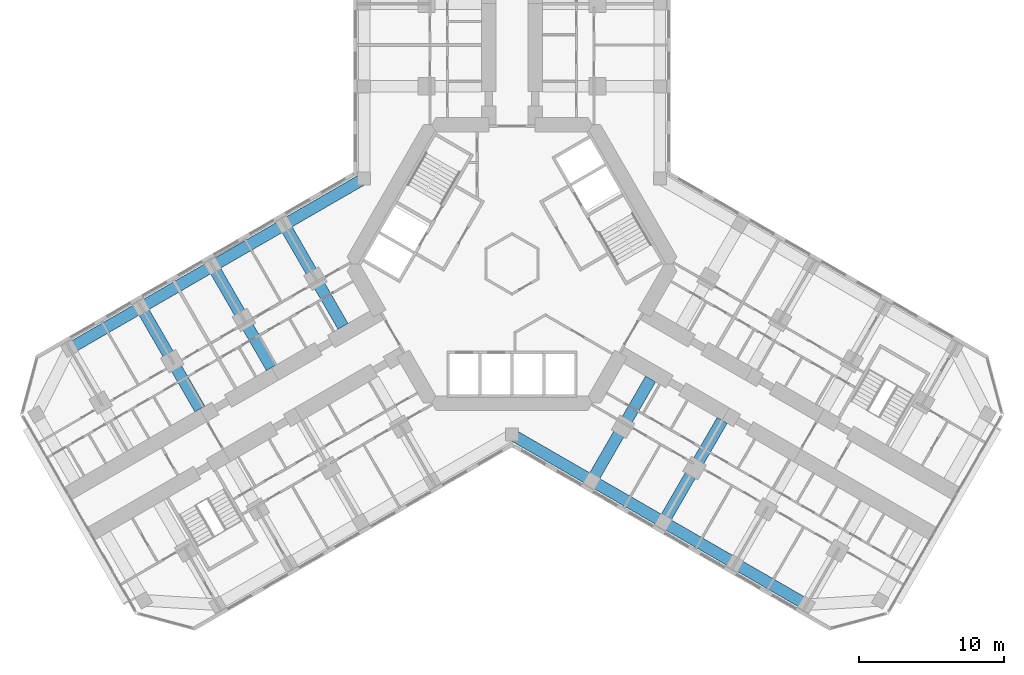
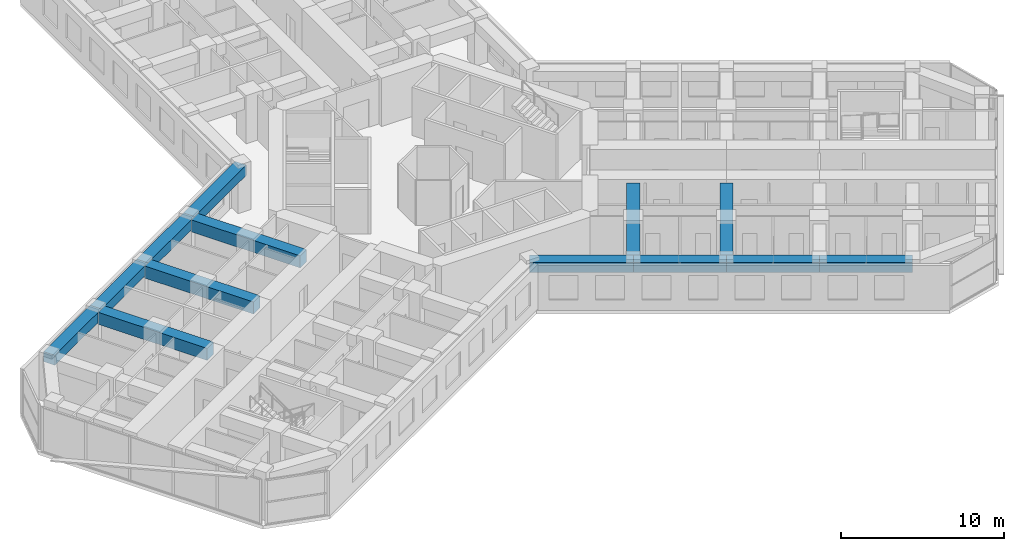
# One storey, part 4 of 22: 13 beams.
"""IFC4 building model written with IfcOpenShell, lengths in metres."""

from ifc_helpers import new_model, si_unit, direction, frame, origin, origin_2d, place, context, subcontext, project, spatial, rectangle, extrude, material, material_profile, profile_set, type_object, element, save


model = new_model("IFC4")

# Units and contexts
model_context = context("Model", 3, precision=1e-05, world=origin(), true_north=direction((0.0, 1.0)))
body_context = subcontext(model_context, "Body", "Model", "MODEL_VIEW")
ifc_project = project(units=[si_unit("LENGTHUNIT", "METRE"), si_unit("AREAUNIT", "SQUARE_METRE"), si_unit("VOLUMEUNIT", "CUBIC_METRE"), si_unit("PLANEANGLEUNIT", "RADIAN"), si_unit("MASSUNIT", "GRAM", prefix="KILO")], contexts=[model_context])

# Site, building, storey
site_placement = place(None, origin())
site = spatial("IfcSite", under=ifc_project, at=site_placement, CompositionType="ELEMENT")
building_placement = place(site_placement, origin())
building = spatial("IfcBuilding", under=site, at=building_placement, Name="Kosmar Iwan School Tower", CompositionType="ELEMENT")
storey_placement = place(building_placement, frame((0.0, 0.0, 91.60009765625)))
storey = spatial("IfcBuildingStorey", under=building, at=storey_placement, Name="L22", CompositionType="ELEMENT", Elevation=91.60009765625)

# Beams
ifc_material_1 = material(Name="Concrete C50/60", Category="concrete")
ifc_material_profile_1 = material_profile(ifc_material_1, rectangle(XDim=0.800048828125, YDim=0.75, at=origin_2d()), Name="RC 800x750")
ifc_profile_set_1 = profile_set([ifc_material_profile_1], Name="Concrete C50/60")
beam_type_1 = type_object("IfcBeamType", Name="RC edge beam 800x750", PredefinedType="BEAM", material=ifc_profile_set_1)
beam_1_placement = place(storey_placement, frame((-10.199951171875, 5.888916015625, 2.974853515625), z_axis=(-0.866030912664, -0.49999045822, 0.0), x_axis=(0.49999045822, -0.866030912664, 0.0)))
element("IfcBeam", 1, at=beam_1_placement, inside=storey, type_object=beam_type_1, Name="Edge beam BR1", PredefinedType="BEAM", context=body_context, shape_type="SweptSolid", body=[
    extrude(rectangle(XDim=0.800048828125, YDim=0.75, at=origin_2d()), origin(), (0.0, 0.0, 1.0), 6.36083984375),
])
beam_2_placement = place(storey_placement, frame((-15.708740234375, 2.70849609375, 2.974853515625), z_axis=(-0.866025820012, -0.499999279071, 0.0), x_axis=(0.499999279071, -0.866025820012, 0.0)))
element("IfcBeam", 2, at=beam_2_placement, inside=storey, type_object=beam_type_1, Name="Edge beam BR2", PredefinedType="BEAM", context=body_context, shape_type="SweptSolid", body=[
    extrude(rectangle(XDim=0.800048828125, YDim=0.75, at=origin_2d()), origin(), (0.0, 0.0, 1.0), 5.7001953125),
])
for number, where, z_axis, x_axis, name in (
    (3, (-20.645263671875, -0.1416015625, 2.974853515625), (-0.866033658841, -0.49998570155, 0.0), (0.49998570155, -0.866033658841, 0.0), "Edge beam BR3"),
    (4, (-25.58154296875, -2.991455078125, 2.974853515625), (-0.866015111908, -0.50001782563, 0.0), (0.50001782563, -0.866015111908, 0.0), "Edge beam BR4"),
):
    element("IfcBeam", number, at=place(storey_placement, frame(where, z_axis=z_axis, x_axis=x_axis)), inside=storey, type_object=beam_type_1, Name=name, PredefinedType="BEAM", context=body_context, shape_type="SweptSolid", body=[
        extrude(rectangle(XDim=0.800048828125, YDim=0.75, at=origin_2d()), origin(), (0.0, 0.0, 1.0), 5.699951171875),
    ])
beam_3_placement = place(storey_placement, frame((0.0, -11.77783203125, 2.974853515625), z_axis=(0.866014293216, -0.500019243575, 0.0), x_axis=(0.500019243575, 0.866014293216, 0.0)))
element("IfcBeam", 5, at=beam_3_placement, inside=storey, type_object=beam_type_1, Name="Edge beam CR1", PredefinedType="BEAM", context=body_context, shape_type="SweptSolid", body=[
    extrude(rectangle(XDim=0.800048828125, YDim=0.75, at=origin_2d()), origin(), (0.0, 0.0, 1.0), 6.361083984375),
])
beam_4_placement = place(storey_placement, frame((5.5087890625, -14.95849609375, 2.974853515625), z_axis=(0.866033658841, -0.49998570155, 0.0), x_axis=(0.49998570155, 0.866033658841, 0.0)))
element("IfcBeam", 6, at=beam_4_placement, inside=storey, type_object=beam_type_1, Name="Edge beam CR2", PredefinedType="BEAM", context=body_context, shape_type="SweptSolid", body=[
    extrude(rectangle(XDim=0.800048828125, YDim=0.75, at=origin_2d()), origin(), (0.0, 0.0, 1.0), 5.699951171875),
])
beam_5_placement = place(storey_placement, frame((10.445068359375, -17.808349609375, 2.974853515625), z_axis=(0.866025820012, -0.499999279071, 0.0), x_axis=(0.499999279071, 0.866025820012, 0.0)))
element("IfcBeam", 7, at=beam_5_placement, inside=storey, type_object=beam_type_1, Name="Edge beam CR3", PredefinedType="BEAM", context=body_context, shape_type="SweptSolid", body=[
    extrude(rectangle(XDim=0.800048828125, YDim=0.75, at=origin_2d()), origin(), (0.0, 0.0, 1.0), 5.7001953125),
])
beam_6_placement = place(storey_placement, frame((15.381591796875, -20.658447265625, 2.974853515625), z_axis=(0.866015111908, -0.50001782563, 0.0), x_axis=(0.50001782563, 0.866015111908, 0.0)))
element("IfcBeam", 8, at=beam_6_placement, inside=storey, type_object=beam_type_1, Name="Edge beam CR4", PredefinedType="BEAM", context=body_context, shape_type="SweptSolid", body=[
    extrude(rectangle(XDim=0.800048828125, YDim=0.75, at=origin_2d()), origin(), (0.0, 0.0, 1.0), 5.699951171875),
])
ifc_material_2 = material(Name="Concrete C50/60", Category="concrete")
ifc_material_profile_2 = material_profile(ifc_material_2, rectangle(XDim=0.800048828125, YDim=0.89990234375, at=origin_2d()), Name="RC 800x900")
ifc_profile_set_2 = profile_set([ifc_material_profile_2], Name="Concrete C50/60")
beam_type_2 = type_object("IfcBeamType", Name="RC transverse beam 800x900", PredefinedType="BEAM", material=ifc_profile_set_2)
beam_7_placement = place(storey_placement, frame((-15.708740234375, 2.70849609375, 2.89990234375), z_axis=(0.499999880539, -0.866025472755, 0.0), x_axis=(0.866025472755, 0.499999880539, 0.0)))
element("IfcBeam", 9, at=beam_7_placement, inside=storey, type_object=beam_type_2, Name="Transverse beam BR1", PredefinedType="BEAM", context=body_context, shape_type="SweptSolid", body=[
    extrude(rectangle(XDim=0.800048828125, YDim=0.89990234375, at=origin_2d()), origin(), (0.0, 0.0, 1.0), 8.10009765625),
])
beam_8_placement = place(storey_placement, frame((-20.645263671875, -0.1416015625, 2.89990234375), z_axis=(0.500012932018, -0.866017937352, 0.0), x_axis=(0.866017937352, 0.500012932018, 0.0)))
element("IfcBeam", 10, at=beam_8_placement, inside=storey, type_object=beam_type_2, Name="Transverse beam BR2", PredefinedType="BEAM", context=body_context, shape_type="SweptSolid", body=[
    extrude(rectangle(XDim=0.800048828125, YDim=0.89990234375, at=origin_2d()), origin(), (0.0, 0.0, 1.0), 8.099853515625),
])
for number, where, z_axis, x_axis, name in (
    (11, (-25.58154296875, -2.991455078125, 2.89990234375), (0.499999880539, -0.866025472755, 0.0), (0.866025472755, 0.499999880539, 0.0), "Transverse beam BR3"),
    (12, (5.5087890625, -14.95849609375, 2.89990234375), (0.499999880539, 0.866025472755, 0.0), (-0.866025472755, 0.499999880539, 0.0), "Transverse beam CR1"),
):
    element("IfcBeam", number, at=place(storey_placement, frame(where, z_axis=z_axis, x_axis=x_axis)), inside=storey, type_object=beam_type_2, Name=name, PredefinedType="BEAM", context=body_context, shape_type="SweptSolid", body=[
        extrude(rectangle(XDim=0.800048828125, YDim=0.89990234375, at=origin_2d()), origin(), (0.0, 0.0, 1.0), 8.10009765625),
    ])
beam_9_placement = place(storey_placement, frame((10.445068359375, -17.808349609375, 2.89990234375), z_axis=(0.500012932018, 0.866017937352, 0.0), x_axis=(-0.866017937352, 0.500012932018, 0.0)))
element("IfcBeam", 13, at=beam_9_placement, inside=storey, type_object=beam_type_2, Name="Transverse beam CR2", PredefinedType="BEAM", context=body_context, shape_type="SweptSolid", body=[
    extrude(rectangle(XDim=0.800048828125, YDim=0.89990234375, at=origin_2d()), origin(), (0.0, 0.0, 1.0), 8.099853515625),
])

save(model, "model.ifc")
